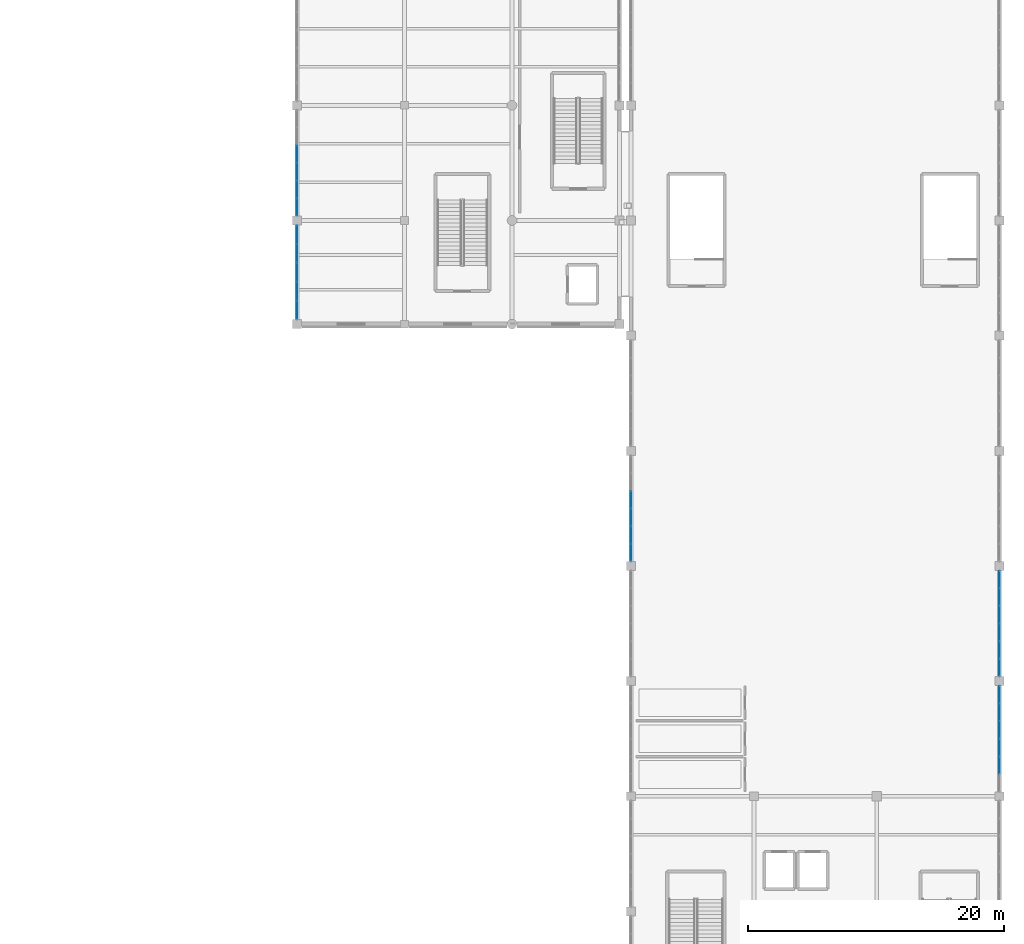
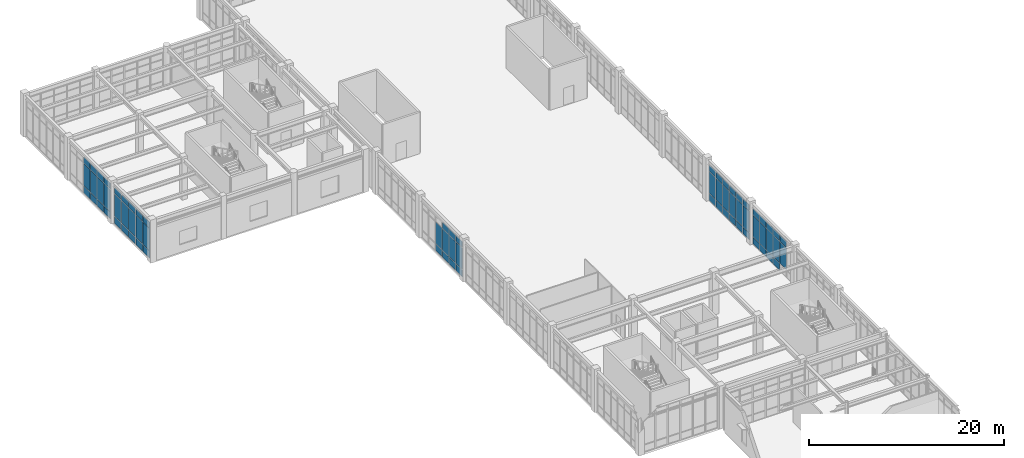
# One storey, part 59 of 80: 70 plates, 5 elements without a shape of their own.
"""IFC4 building model written with IfcOpenShell, lengths in metres."""

from ifc_helpers import new_model, si_unit, direction, frame, origin, origin_2d, place, context, subcontext, project, spatial, rectangle, extrude, material, layer, layer_set, type_object, element, aggregate, save


model = new_model("IFC4")

# Units and contexts
model_context = context("Model", 3, precision=1e-05, world=origin(), true_north=direction((0.0, 1.0)))
body_context = subcontext(model_context, "Body", "Model", "MODEL_VIEW")
ifc_project = project(units=[si_unit("LENGTHUNIT", "METRE"), si_unit("AREAUNIT", "SQUARE_METRE"), si_unit("VOLUMEUNIT", "CUBIC_METRE"), si_unit("PLANEANGLEUNIT", "RADIAN"), si_unit("MASSUNIT", "GRAM", prefix="KILO")], contexts=[model_context])

# Site, building, storey
site_placement = place(None, origin())
site = spatial("IfcSite", under=ifc_project, at=site_placement, CompositionType="ELEMENT")
building_placement = place(site_placement, origin())
building = spatial("IfcBuilding", under=site, at=building_placement, Name="Canglan Escarpment Cableway Terminal", CompositionType="ELEMENT")
storey_placement = place(building_placement, frame((0.0, 0.0, 19.199951171875)))
storey = spatial("IfcBuildingStorey", under=building, at=storey_placement, Name="L04", CompositionType="ELEMENT", Elevation=19.199951171875)

# Curtain wall, plates
ifc_material_1 = material(Name="Anodized bronze aluminium and Low-E double glazing", Category="aluminium")
curtain_wall_type_1 = type_object("IfcCurtainWallType", Name="CW-BAY-7400x4625", PredefinedType="NOTDEFINED", material=ifc_material_1)
curtain_wall_1_placement = place(storey_placement, origin())
curtain_wall_1 = element("IfcCurtainWall", 1, at=curtain_wall_1_placement, inside=storey, type_object=curtain_wall_type_1, Name="Classical bay-between-piers glazed curtain wall CW-55", PredefinedType="NOTDEFINED")
ifc_material_2 = material(Name="Double-silver Low-E laminated insulating glass", Category="glass")
ifc_layer_1 = layer(ifc_material_2, 0.02392578125, Name="Double-silver Low-E laminated insulating glass")
ifc_layer_set_1 = layer_set([ifc_layer_1], Name="Double-silver Low-E laminated insulating glass")
plate_type_1 = type_object("IfcPlateType", Name="CWP-01", PredefinedType="CURTAIN_PANEL", material=ifc_layer_set_1)
plate_1_placement = place(storey_placement, frame((111.5, 95.89501953125, 0.05517578125), z_axis=(0.0, 0.0, 1.0), x_axis=(0.0, -1.0, 0.0)))
plate_1 = element("IfcPlate", 2, at=plate_1_placement, type_object=plate_type_1, Name="CW-55 panel 1.1", PredefinedType="CURTAIN_PANEL", context=body_context, shape_type="SweptSolid", body=[
    extrude(rectangle(XDim=1.389892578125, YDim=0.02392578125, at=origin_2d()), origin(), (0.0, 0.0, 1.0), 0.867431640625),
])
plate_2_placement = place(storey_placement, frame((111.5, 95.89501953125, 0.9775390625), z_axis=(0.0, 0.0, 1.0), x_axis=(0.0, -1.0, 0.0)))
plate_2 = element("IfcPlate", 3, at=plate_2_placement, type_object=plate_type_1, Name="CW-55 panel 1.2", PredefinedType="CURTAIN_PANEL", context=body_context, shape_type="SweptSolid", body=[
    extrude(rectangle(XDim=1.389892578125, YDim=0.02392578125, at=origin_2d()), origin(), (0.0, 0.0, 1.0), 2.77197265625),
])
plate_3_placement = place(storey_placement, frame((111.5, 95.89501953125, 3.804443359375), z_axis=(0.0, 0.0, 1.0), x_axis=(0.0, -1.0, 0.0)))
plate_3 = element("IfcPlate", 4, at=plate_3_placement, type_object=plate_type_1, Name="CW-55 panel 1.3", PredefinedType="CURTAIN_PANEL", context=body_context, shape_type="SweptSolid", body=[
    extrude(rectangle(XDim=1.389892578125, YDim=0.02392578125, at=origin_2d()), origin(), (0.0, 0.0, 1.0), 0.767578125),
])
plate_4_placement = place(storey_placement, frame((111.5, 94.429931640625, 0.05517578125), z_axis=(0.0, 0.0, 1.0), x_axis=(0.0, -1.0, 0.0)))
plate_4 = element("IfcPlate", 5, at=plate_4_placement, type_object=plate_type_1, Name="CW-55 panel 2.1", PredefinedType="CURTAIN_PANEL", context=body_context, shape_type="SweptSolid", body=[
    extrude(rectangle(XDim=1.419921875, YDim=0.02392578125, at=origin_2d()), origin(), (0.0, 0.0, 1.0), 0.867431640625),
])
plate_5_placement = place(storey_placement, frame((111.5, 94.429931640625, 0.9775390625), z_axis=(0.0, 0.0, 1.0), x_axis=(0.0, -1.0, 0.0)))
plate_5 = element("IfcPlate", 6, at=plate_5_placement, type_object=plate_type_1, Name="CW-55 panel 2.2", PredefinedType="CURTAIN_PANEL", context=body_context, shape_type="SweptSolid", body=[
    extrude(rectangle(XDim=1.419921875, YDim=0.02392578125, at=origin_2d()), origin(), (0.0, 0.0, 1.0), 2.77197265625),
])
plate_6_placement = place(storey_placement, frame((111.5, 94.429931640625, 3.804443359375), z_axis=(0.0, 0.0, 1.0), x_axis=(0.0, -1.0, 0.0)))
plate_6 = element("IfcPlate", 7, at=plate_6_placement, type_object=plate_type_1, Name="CW-55 panel 2.3", PredefinedType="CURTAIN_PANEL", context=body_context, shape_type="SweptSolid", body=[
    extrude(rectangle(XDim=1.419921875, YDim=0.02392578125, at=origin_2d()), origin(), (0.0, 0.0, 1.0), 0.767578125),
])
plate_7_placement = place(storey_placement, frame((111.5, 92.949951171875, 0.05517578125), z_axis=(0.0, 0.0, 1.0), x_axis=(0.0, -1.0, 0.0)))
plate_7 = element("IfcPlate", 8, at=plate_7_placement, type_object=plate_type_1, Name="CW-55 panel 3.1", PredefinedType="CURTAIN_PANEL", context=body_context, shape_type="SweptSolid", body=[
    extrude(rectangle(XDim=1.419921875, YDim=0.02392578125, at=origin_2d()), origin(), (0.0, 0.0, 1.0), 0.867431640625),
])
plate_8_placement = place(storey_placement, frame((111.5, 92.949951171875, 0.9775390625), z_axis=(0.0, 0.0, 1.0), x_axis=(0.0, -1.0, 0.0)))
plate_8 = element("IfcPlate", 9, at=plate_8_placement, type_object=plate_type_1, Name="CW-55 panel 3.2", PredefinedType="CURTAIN_PANEL", context=body_context, shape_type="SweptSolid", body=[
    extrude(rectangle(XDim=1.419921875, YDim=0.02392578125, at=origin_2d()), origin(), (0.0, 0.0, 1.0), 2.77197265625),
])
plate_9_placement = place(storey_placement, frame((111.5, 92.949951171875, 3.804443359375), z_axis=(0.0, 0.0, 1.0), x_axis=(0.0, -1.0, 0.0)))
plate_9 = element("IfcPlate", 10, at=plate_9_placement, type_object=plate_type_1, Name="CW-55 panel 3.3", PredefinedType="CURTAIN_PANEL", context=body_context, shape_type="SweptSolid", body=[
    extrude(rectangle(XDim=1.419921875, YDim=0.02392578125, at=origin_2d()), origin(), (0.0, 0.0, 1.0), 0.767578125),
])
plate_10_placement = place(storey_placement, frame((111.5, 91.469970703125, 0.05517578125), z_axis=(0.0, 0.0, 1.0), x_axis=(0.0, -1.0, 0.0)))
plate_10 = element("IfcPlate", 11, at=plate_10_placement, type_object=plate_type_1, Name="CW-55 panel 4.1", PredefinedType="CURTAIN_PANEL", context=body_context, shape_type="SweptSolid", body=[
    extrude(rectangle(XDim=1.419921875, YDim=0.02392578125, at=origin_2d()), origin(), (0.0, 0.0, 1.0), 0.867431640625),
])
plate_11_placement = place(storey_placement, frame((111.5, 91.469970703125, 0.9775390625), z_axis=(0.0, 0.0, 1.0), x_axis=(0.0, -1.0, 0.0)))
plate_11 = element("IfcPlate", 12, at=plate_11_placement, type_object=plate_type_1, Name="CW-55 panel 4.2", PredefinedType="CURTAIN_PANEL", context=body_context, shape_type="SweptSolid", body=[
    extrude(rectangle(XDim=1.419921875, YDim=0.02392578125, at=origin_2d()), origin(), (0.0, 0.0, 1.0), 2.77197265625),
])
plate_12_placement = place(storey_placement, frame((111.5, 91.469970703125, 3.804443359375), z_axis=(0.0, 0.0, 1.0), x_axis=(0.0, -1.0, 0.0)))
plate_12 = element("IfcPlate", 13, at=plate_12_placement, type_object=plate_type_1, Name="CW-55 panel 4.3", PredefinedType="CURTAIN_PANEL", context=body_context, shape_type="SweptSolid", body=[
    extrude(rectangle(XDim=1.419921875, YDim=0.02392578125, at=origin_2d()), origin(), (0.0, 0.0, 1.0), 0.767578125),
])
plate_13_placement = place(storey_placement, frame((111.5, 90.0048828125, 0.05517578125), z_axis=(0.0, 0.0, 1.0), x_axis=(0.0, -1.0, 0.0)))
plate_13 = element("IfcPlate", 14, at=plate_13_placement, type_object=plate_type_1, Name="CW-55 panel 5.1", PredefinedType="CURTAIN_PANEL", context=body_context, shape_type="SweptSolid", body=[
    extrude(rectangle(XDim=1.389892578125, YDim=0.02392578125, at=origin_2d()), origin(), (0.0, 0.0, 1.0), 0.867431640625),
])
plate_14_placement = place(storey_placement, frame((111.5, 90.0048828125, 0.9775390625), z_axis=(0.0, 0.0, 1.0), x_axis=(0.0, -1.0, 0.0)))
plate_14 = element("IfcPlate", 15, at=plate_14_placement, type_object=plate_type_1, Name="CW-55 panel 5.2", PredefinedType="CURTAIN_PANEL", context=body_context, shape_type="SweptSolid", body=[
    extrude(rectangle(XDim=1.389892578125, YDim=0.02392578125, at=origin_2d()), origin(), (0.0, 0.0, 1.0), 2.77197265625),
])
plate_15_placement = place(storey_placement, frame((111.5, 90.0048828125, 3.804443359375), z_axis=(0.0, 0.0, 1.0), x_axis=(0.0, -1.0, 0.0)))
plate_15 = element("IfcPlate", 16, at=plate_15_placement, type_object=plate_type_1, Name="CW-55 panel 5.3", PredefinedType="CURTAIN_PANEL", context=body_context, shape_type="SweptSolid", body=[
    extrude(rectangle(XDim=1.389892578125, YDim=0.02392578125, at=origin_2d()), origin(), (0.0, 0.0, 1.0), 0.767578125),
])
aggregate(curtain_wall_1, [plate_1, plate_2, plate_3, plate_4, plate_5, plate_6, plate_7, plate_8, plate_9, plate_10, plate_11, plate_12, plate_13, plate_14, plate_15])

curtain_wall_type_2 = type_object("IfcCurtainWallType", Name="CW-BAY-8300x4550", PredefinedType="NOTDEFINED", material=ifc_material_1)
curtain_wall_2_placement = place(storey_placement, origin())
curtain_wall_2 = element("IfcCurtainWall", 17, at=curtain_wall_2_placement, inside=storey, type_object=curtain_wall_type_2, Name="Classical bay-between-piers glazed curtain wall CW-64", PredefinedType="NOTDEFINED")
plate_16_placement = place(storey_placement, frame((166.39990234375, 62.057861328125, 0.06005859375), z_axis=(0.0, 0.0, 1.0), x_axis=(0.0, 1.0, 0.0)))
plate_16 = element("IfcPlate", 18, at=plate_16_placement, type_object=plate_type_1, Name="CW-64 panel 1.1", PredefinedType="CURTAIN_PANEL", context=body_context, shape_type="SweptSolid", body=[
    extrude(rectangle(XDim=1.285888671875, YDim=0.02392578125, at=origin_2d()), origin(), (0.0, 0.0, 1.0), 0.860107421875),
])
plate_17_placement = place(storey_placement, frame((166.39990234375, 62.057861328125, 0.97998046875), z_axis=(0.0, 0.0, 1.0), x_axis=(0.0, 1.0, 0.0)))
plate_17 = element("IfcPlate", 19, at=plate_17_placement, type_object=plate_type_1, Name="CW-64 panel 1.2", PredefinedType="CURTAIN_PANEL", context=body_context, shape_type="SweptSolid", body=[
    extrude(rectangle(XDim=1.285888671875, YDim=0.02392578125, at=origin_2d()), origin(), (0.0, 0.0, 1.0), 2.69091796875),
])
plate_18_placement = place(storey_placement, frame((166.39990234375, 62.057861328125, 3.73095703125), z_axis=(0.0, 0.0, 1.0), x_axis=(0.0, 1.0, 0.0)))
plate_18 = element("IfcPlate", 20, at=plate_18_placement, type_object=plate_type_1, Name="CW-64 panel 1.3", PredefinedType="CURTAIN_PANEL", context=body_context, shape_type="SweptSolid", body=[
    extrude(rectangle(XDim=1.285888671875, YDim=0.02392578125, at=origin_2d()), origin(), (0.0, 0.0, 1.0), 0.760009765625),
])
plate_19_placement = place(storey_placement, frame((166.39990234375, 63.425048828125, 0.06005859375), z_axis=(0.0, 0.0, 1.0), x_axis=(0.0, 1.0, 0.0)))
plate_19 = element("IfcPlate", 21, at=plate_19_placement, type_object=plate_type_1, Name="CW-64 panel 2.1", PredefinedType="CURTAIN_PANEL", context=body_context, shape_type="SweptSolid", body=[
    extrude(rectangle(XDim=1.318359375, YDim=0.02392578125, at=origin_2d()), origin(), (0.0, 0.0, 1.0), 0.860107421875),
])
plate_20_placement = place(storey_placement, frame((166.39990234375, 63.425048828125, 0.97998046875), z_axis=(0.0, 0.0, 1.0), x_axis=(0.0, 1.0, 0.0)))
plate_20 = element("IfcPlate", 22, at=plate_20_placement, type_object=plate_type_1, Name="CW-64 panel 2.2", PredefinedType="CURTAIN_PANEL", context=body_context, shape_type="SweptSolid", body=[
    extrude(rectangle(XDim=1.318359375, YDim=0.02392578125, at=origin_2d()), origin(), (0.0, 0.0, 1.0), 2.69091796875),
])
plate_21_placement = place(storey_placement, frame((166.39990234375, 63.425048828125, 3.73095703125), z_axis=(0.0, 0.0, 1.0), x_axis=(0.0, 1.0, 0.0)))
plate_21 = element("IfcPlate", 23, at=plate_21_placement, type_object=plate_type_1, Name="CW-64 panel 2.3", PredefinedType="CURTAIN_PANEL", context=body_context, shape_type="SweptSolid", body=[
    extrude(rectangle(XDim=1.318359375, YDim=0.02392578125, at=origin_2d()), origin(), (0.0, 0.0, 1.0), 0.760009765625),
])
plate_22_placement = place(storey_placement, frame((166.39990234375, 64.808349609375, 0.06005859375), z_axis=(0.0, 0.0, 1.0), x_axis=(0.0, 1.0, 0.0)))
plate_22 = element("IfcPlate", 24, at=plate_22_placement, type_object=plate_type_1, Name="CW-64 panel 3.1", PredefinedType="CURTAIN_PANEL", context=body_context, shape_type="SweptSolid", body=[
    extrude(rectangle(XDim=1.318359375, YDim=0.02392578125, at=origin_2d()), origin(), (0.0, 0.0, 1.0), 0.860107421875),
])
plate_23_placement = place(storey_placement, frame((166.39990234375, 64.808349609375, 0.97998046875), z_axis=(0.0, 0.0, 1.0), x_axis=(0.0, 1.0, 0.0)))
plate_23 = element("IfcPlate", 25, at=plate_23_placement, type_object=plate_type_1, Name="CW-64 panel 3.2", PredefinedType="CURTAIN_PANEL", context=body_context, shape_type="SweptSolid", body=[
    extrude(rectangle(XDim=1.318359375, YDim=0.02392578125, at=origin_2d()), origin(), (0.0, 0.0, 1.0), 2.69091796875),
])
plate_24_placement = place(storey_placement, frame((166.39990234375, 64.808349609375, 3.73095703125), z_axis=(0.0, 0.0, 1.0), x_axis=(0.0, 1.0, 0.0)))
plate_24 = element("IfcPlate", 26, at=plate_24_placement, type_object=plate_type_1, Name="CW-64 panel 3.3", PredefinedType="CURTAIN_PANEL", context=body_context, shape_type="SweptSolid", body=[
    extrude(rectangle(XDim=1.318359375, YDim=0.02392578125, at=origin_2d()), origin(), (0.0, 0.0, 1.0), 0.760009765625),
])
plate_25_placement = place(storey_placement, frame((166.39990234375, 66.191650390625, 0.06005859375), z_axis=(0.0, 0.0, 1.0), x_axis=(0.0, 1.0, 0.0)))
plate_25 = element("IfcPlate", 27, at=plate_25_placement, type_object=plate_type_1, Name="CW-64 panel 4.1", PredefinedType="CURTAIN_PANEL", context=body_context, shape_type="SweptSolid", body=[
    extrude(rectangle(XDim=1.318359375, YDim=0.02392578125, at=origin_2d()), origin(), (0.0, 0.0, 1.0), 0.860107421875),
])
plate_26_placement = place(storey_placement, frame((166.39990234375, 66.191650390625, 0.97998046875), z_axis=(0.0, 0.0, 1.0), x_axis=(0.0, 1.0, 0.0)))
plate_26 = element("IfcPlate", 28, at=plate_26_placement, type_object=plate_type_1, Name="CW-64 panel 4.2", PredefinedType="CURTAIN_PANEL", context=body_context, shape_type="SweptSolid", body=[
    extrude(rectangle(XDim=1.318359375, YDim=0.02392578125, at=origin_2d()), origin(), (0.0, 0.0, 1.0), 2.69091796875),
])
plate_27_placement = place(storey_placement, frame((166.39990234375, 66.191650390625, 3.73095703125), z_axis=(0.0, 0.0, 1.0), x_axis=(0.0, 1.0, 0.0)))
plate_27 = element("IfcPlate", 29, at=plate_27_placement, type_object=plate_type_1, Name="CW-64 panel 4.3", PredefinedType="CURTAIN_PANEL", context=body_context, shape_type="SweptSolid", body=[
    extrude(rectangle(XDim=1.318359375, YDim=0.02392578125, at=origin_2d()), origin(), (0.0, 0.0, 1.0), 0.760009765625),
])
plate_28_placement = place(storey_placement, frame((166.39990234375, 67.574951171875, 0.06005859375), z_axis=(0.0, 0.0, 1.0), x_axis=(0.0, 1.0, 0.0)))
plate_28 = element("IfcPlate", 30, at=plate_28_placement, type_object=plate_type_1, Name="CW-64 panel 5.1", PredefinedType="CURTAIN_PANEL", context=body_context, shape_type="SweptSolid", body=[
    extrude(rectangle(XDim=1.318359375, YDim=0.02392578125, at=origin_2d()), origin(), (0.0, 0.0, 1.0), 0.860107421875),
])
plate_29_placement = place(storey_placement, frame((166.39990234375, 67.574951171875, 0.97998046875), z_axis=(0.0, 0.0, 1.0), x_axis=(0.0, 1.0, 0.0)))
plate_29 = element("IfcPlate", 31, at=plate_29_placement, type_object=plate_type_1, Name="CW-64 panel 5.2", PredefinedType="CURTAIN_PANEL", context=body_context, shape_type="SweptSolid", body=[
    extrude(rectangle(XDim=1.318359375, YDim=0.02392578125, at=origin_2d()), origin(), (0.0, 0.0, 1.0), 2.69091796875),
])
plate_30_placement = place(storey_placement, frame((166.39990234375, 67.574951171875, 3.73095703125), z_axis=(0.0, 0.0, 1.0), x_axis=(0.0, 1.0, 0.0)))
plate_30 = element("IfcPlate", 32, at=plate_30_placement, type_object=plate_type_1, Name="CW-64 panel 5.3", PredefinedType="CURTAIN_PANEL", context=body_context, shape_type="SweptSolid", body=[
    extrude(rectangle(XDim=1.318359375, YDim=0.02392578125, at=origin_2d()), origin(), (0.0, 0.0, 1.0), 0.760009765625),
])
plate_31_placement = place(storey_placement, frame((166.39990234375, 68.942138671875, 0.06005859375), z_axis=(0.0, 0.0, 1.0), x_axis=(0.0, 1.0, 0.0)))
plate_31 = element("IfcPlate", 33, at=plate_31_placement, type_object=plate_type_1, Name="CW-64 panel 6.1", PredefinedType="CURTAIN_PANEL", context=body_context, shape_type="SweptSolid", body=[
    extrude(rectangle(XDim=1.285888671875, YDim=0.02392578125, at=origin_2d()), origin(), (0.0, 0.0, 1.0), 0.860107421875),
])
plate_32_placement = place(storey_placement, frame((166.39990234375, 68.942138671875, 0.97998046875), z_axis=(0.0, 0.0, 1.0), x_axis=(0.0, 1.0, 0.0)))
plate_32 = element("IfcPlate", 34, at=plate_32_placement, type_object=plate_type_1, Name="CW-64 panel 6.2", PredefinedType="CURTAIN_PANEL", context=body_context, shape_type="SweptSolid", body=[
    extrude(rectangle(XDim=1.285888671875, YDim=0.02392578125, at=origin_2d()), origin(), (0.0, 0.0, 1.0), 2.69091796875),
])
plate_33_placement = place(storey_placement, frame((166.39990234375, 68.942138671875, 3.73095703125), z_axis=(0.0, 0.0, 1.0), x_axis=(0.0, 1.0, 0.0)))
plate_33 = element("IfcPlate", 35, at=plate_33_placement, type_object=plate_type_1, Name="CW-64 panel 6.3", PredefinedType="CURTAIN_PANEL", context=body_context, shape_type="SweptSolid", body=[
    extrude(rectangle(XDim=1.285888671875, YDim=0.02392578125, at=origin_2d()), origin(), (0.0, 0.0, 1.0), 0.760009765625),
])
aggregate(curtain_wall_2, [plate_16, plate_17, plate_18, plate_19, plate_20, plate_21, plate_22, plate_23, plate_24, plate_25, plate_26, plate_27, plate_28, plate_29, plate_30, plate_31, plate_32, plate_33])

curtain_wall_type_3 = type_object("IfcCurtainWallType", Name="CW-BAY-8300x4625", PredefinedType="NOTDEFINED", material=ifc_material_1)
curtain_wall_3_placement = place(storey_placement, origin())
curtain_wall_3 = element("IfcCurtainWall", 36, at=curtain_wall_3_placement, inside=storey, type_object=curtain_wall_type_3, Name="Classical bay-between-piers glazed curtain wall CW-56", PredefinedType="NOTDEFINED")
ifc_layer_2 = layer(ifc_material_2, 0.028076171875, Name="Double-silver Low-E laminated insulating glass")
ifc_layer_set_2 = layer_set([ifc_layer_2], Name="Double-silver Low-E laminated insulating glass")
plate_type_2 = type_object("IfcPlateType", Name="CWP-02", PredefinedType="CURTAIN_PANEL", material=ifc_layer_set_2)
plate_34_placement = place(storey_placement, frame((111.5, 102.191650390625, 0.06005859375), z_axis=(0.0, 0.0, 1.0), x_axis=(0.0, -1.0, 0.0)))
plate_34 = element("IfcPlate", 37, at=plate_34_placement, type_object=plate_type_2, Name="CW-56 panel 3.1", PredefinedType="CURTAIN_PANEL", context=body_context, shape_type="SweptSolid", body=[
    extrude(rectangle(XDim=1.318359375, YDim=0.028076171875, at=origin_2d()), origin(), (0.0, 0.0, 1.0), 0.860107421875),
])
plate_35_placement = place(storey_placement, frame((111.5, 102.191650390625, 0.97998046875), z_axis=(0.0, 0.0, 1.0), x_axis=(0.0, -1.0, 0.0)))
plate_35 = element("IfcPlate", 38, at=plate_35_placement, type_object=plate_type_2, Name="CW-56 panel 3.2", PredefinedType="CURTAIN_PANEL", context=body_context, shape_type="SweptSolid", body=[
    extrude(rectangle(XDim=1.318359375, YDim=0.028076171875, at=origin_2d()), origin(), (0.0, 0.0, 1.0), 2.76708984375),
])
plate_36_placement = place(storey_placement, frame((111.5, 102.191650390625, 3.80712890625), z_axis=(0.0, 0.0, 1.0), x_axis=(0.0, -1.0, 0.0)))
plate_36 = element("IfcPlate", 39, at=plate_36_placement, type_object=plate_type_2, Name="CW-56 panel 3.3", PredefinedType="CURTAIN_PANEL", context=body_context, shape_type="SweptSolid", body=[
    extrude(rectangle(XDim=1.318359375, YDim=0.028076171875, at=origin_2d()), origin(), (0.0, 0.0, 1.0), 0.760009765625),
])
plate_37_placement = place(storey_placement, frame((111.5, 100.808349609375, 0.06005859375), z_axis=(0.0, 0.0, 1.0), x_axis=(0.0, -1.0, 0.0)))
plate_37 = element("IfcPlate", 40, at=plate_37_placement, type_object=plate_type_2, Name="CW-56 panel 4.1", PredefinedType="CURTAIN_PANEL", context=body_context, shape_type="SweptSolid", body=[
    extrude(rectangle(XDim=1.318359375, YDim=0.028076171875, at=origin_2d()), origin(), (0.0, 0.0, 1.0), 0.860107421875),
])
plate_38_placement = place(storey_placement, frame((111.5, 100.808349609375, 0.97998046875), z_axis=(0.0, 0.0, 1.0), x_axis=(0.0, -1.0, 0.0)))
plate_38 = element("IfcPlate", 41, at=plate_38_placement, type_object=plate_type_2, Name="CW-56 panel 4.2", PredefinedType="CURTAIN_PANEL", context=body_context, shape_type="SweptSolid", body=[
    extrude(rectangle(XDim=1.318359375, YDim=0.028076171875, at=origin_2d()), origin(), (0.0, 0.0, 1.0), 2.76708984375),
])
plate_39_placement = place(storey_placement, frame((111.5, 100.808349609375, 3.80712890625), z_axis=(0.0, 0.0, 1.0), x_axis=(0.0, -1.0, 0.0)))
plate_39 = element("IfcPlate", 42, at=plate_39_placement, type_object=plate_type_2, Name="CW-56 panel 4.3", PredefinedType="CURTAIN_PANEL", context=body_context, shape_type="SweptSolid", body=[
    extrude(rectangle(XDim=1.318359375, YDim=0.028076171875, at=origin_2d()), origin(), (0.0, 0.0, 1.0), 0.760009765625),
])
plate_40_placement = place(storey_placement, frame((111.5, 99.425048828125, 0.06005859375), z_axis=(0.0, 0.0, 1.0), x_axis=(0.0, -1.0, 0.0)))
plate_40 = element("IfcPlate", 43, at=plate_40_placement, type_object=plate_type_2, Name="CW-56 panel 5.1", PredefinedType="CURTAIN_PANEL", context=body_context, shape_type="SweptSolid", body=[
    extrude(rectangle(XDim=1.318359375, YDim=0.028076171875, at=origin_2d()), origin(), (0.0, 0.0, 1.0), 0.860107421875),
])
plate_41_placement = place(storey_placement, frame((111.5, 99.425048828125, 0.97998046875), z_axis=(0.0, 0.0, 1.0), x_axis=(0.0, -1.0, 0.0)))
plate_41 = element("IfcPlate", 44, at=plate_41_placement, type_object=plate_type_2, Name="CW-56 panel 5.2", PredefinedType="CURTAIN_PANEL", context=body_context, shape_type="SweptSolid", body=[
    extrude(rectangle(XDim=1.318359375, YDim=0.028076171875, at=origin_2d()), origin(), (0.0, 0.0, 1.0), 2.76708984375),
])
plate_42_placement = place(storey_placement, frame((111.5, 99.425048828125, 3.80712890625), z_axis=(0.0, 0.0, 1.0), x_axis=(0.0, -1.0, 0.0)))
plate_42 = element("IfcPlate", 45, at=plate_42_placement, type_object=plate_type_2, Name="CW-56 panel 5.3", PredefinedType="CURTAIN_PANEL", context=body_context, shape_type="SweptSolid", body=[
    extrude(rectangle(XDim=1.318359375, YDim=0.028076171875, at=origin_2d()), origin(), (0.0, 0.0, 1.0), 0.760009765625),
])
plate_43_placement = place(storey_placement, frame((111.5, 98.057861328125, 0.06005859375), z_axis=(0.0, 0.0, 1.0), x_axis=(0.0, -1.0, 0.0)))
plate_43 = element("IfcPlate", 46, at=plate_43_placement, type_object=plate_type_2, Name="CW-56 panel 6.1", PredefinedType="CURTAIN_PANEL", context=body_context, shape_type="SweptSolid", body=[
    extrude(rectangle(XDim=1.285888671875, YDim=0.028076171875, at=origin_2d()), origin(), (0.0, 0.0, 1.0), 0.860107421875),
])
plate_44_placement = place(storey_placement, frame((111.5, 98.057861328125, 0.97998046875), z_axis=(0.0, 0.0, 1.0), x_axis=(0.0, -1.0, 0.0)))
plate_44 = element("IfcPlate", 47, at=plate_44_placement, type_object=plate_type_2, Name="CW-56 panel 6.2", PredefinedType="CURTAIN_PANEL", context=body_context, shape_type="SweptSolid", body=[
    extrude(rectangle(XDim=1.285888671875, YDim=0.028076171875, at=origin_2d()), origin(), (0.0, 0.0, 1.0), 2.76708984375),
])
plate_45_placement = place(storey_placement, frame((111.5, 98.057861328125, 3.80712890625), z_axis=(0.0, 0.0, 1.0), x_axis=(0.0, -1.0, 0.0)))
plate_45 = element("IfcPlate", 48, at=plate_45_placement, type_object=plate_type_2, Name="CW-56 panel 6.3", PredefinedType="CURTAIN_PANEL", context=body_context, shape_type="SweptSolid", body=[
    extrude(rectangle(XDim=1.285888671875, YDim=0.028076171875, at=origin_2d()), origin(), (0.0, 0.0, 1.0), 0.760009765625),
])
aggregate(curtain_wall_3, [plate_34, plate_35, plate_36, plate_37, plate_38, plate_39, plate_40, plate_41, plate_42, plate_43, plate_44, plate_45])

curtain_wall_4_placement = place(storey_placement, origin())
curtain_wall_4 = element("IfcCurtainWall", 49, at=curtain_wall_4_placement, inside=storey, type_object=curtain_wall_type_2, Name="Classical bay-between-piers glazed curtain wall CW-64", PredefinedType="NOTDEFINED")
plate_46_placement = place(storey_placement, frame((137.60009765625, 75.191650390625, 0.06494140625), z_axis=(0.0, 0.0, 1.0), x_axis=(0.0, -1.0, 0.0)))
plate_46 = element("IfcPlate", 50, at=plate_46_placement, type_object=plate_type_2, Name="CW-64 panel 3.1", PredefinedType="CURTAIN_PANEL", context=body_context, shape_type="SweptSolid", body=[
    extrude(rectangle(XDim=1.318359375, YDim=0.028076171875, at=origin_2d()), origin(), (0.0, 0.0, 1.0), 0.8525390625),
])
plate_47_placement = place(storey_placement, frame((137.60009765625, 75.191650390625, 0.982421875), z_axis=(0.0, 0.0, 1.0), x_axis=(0.0, -1.0, 0.0)))
plate_47 = element("IfcPlate", 51, at=plate_47_placement, type_object=plate_type_2, Name="CW-64 panel 3.2", PredefinedType="CURTAIN_PANEL", context=body_context, shape_type="SweptSolid", body=[
    extrude(rectangle(XDim=1.318359375, YDim=0.028076171875, at=origin_2d()), origin(), (0.0, 0.0, 1.0), 2.68603515625),
])
plate_48_placement = place(storey_placement, frame((137.60009765625, 73.808349609375, 0.06494140625), z_axis=(0.0, 0.0, 1.0), x_axis=(0.0, -1.0, 0.0)))
plate_48 = element("IfcPlate", 52, at=plate_48_placement, type_object=plate_type_2, Name="CW-64 panel 4.1", PredefinedType="CURTAIN_PANEL", context=body_context, shape_type="SweptSolid", body=[
    extrude(rectangle(XDim=1.318359375, YDim=0.028076171875, at=origin_2d()), origin(), (0.0, 0.0, 1.0), 0.8525390625),
])
plate_49_placement = place(storey_placement, frame((137.60009765625, 73.808349609375, 0.982421875), z_axis=(0.0, 0.0, 1.0), x_axis=(0.0, -1.0, 0.0)))
plate_49 = element("IfcPlate", 53, at=plate_49_placement, type_object=plate_type_2, Name="CW-64 panel 4.2", PredefinedType="CURTAIN_PANEL", context=body_context, shape_type="SweptSolid", body=[
    extrude(rectangle(XDim=1.318359375, YDim=0.028076171875, at=origin_2d()), origin(), (0.0, 0.0, 1.0), 2.68603515625),
])
plate_50_placement = place(storey_placement, frame((137.60009765625, 73.808349609375, 3.733642578125), z_axis=(0.0, 0.0, 1.0), x_axis=(0.0, -1.0, 0.0)))
plate_50 = element("IfcPlate", 54, at=plate_50_placement, type_object=plate_type_2, Name="CW-64 panel 4.3", PredefinedType="CURTAIN_PANEL", context=body_context, shape_type="SweptSolid", body=[
    extrude(rectangle(XDim=1.318359375, YDim=0.028076171875, at=origin_2d()), origin(), (0.0, 0.0, 1.0), 0.75244140625),
])
plate_51_placement = place(storey_placement, frame((137.60009765625, 72.425048828125, 0.06494140625), z_axis=(0.0, 0.0, 1.0), x_axis=(0.0, -1.0, 0.0)))
plate_51 = element("IfcPlate", 55, at=plate_51_placement, type_object=plate_type_2, Name="CW-64 panel 5.1", PredefinedType="CURTAIN_PANEL", context=body_context, shape_type="SweptSolid", body=[
    extrude(rectangle(XDim=1.318359375, YDim=0.028076171875, at=origin_2d()), origin(), (0.0, 0.0, 1.0), 0.8525390625),
])
plate_52_placement = place(storey_placement, frame((137.60009765625, 72.425048828125, 0.982421875), z_axis=(0.0, 0.0, 1.0), x_axis=(0.0, -1.0, 0.0)))
plate_52 = element("IfcPlate", 56, at=plate_52_placement, type_object=plate_type_2, Name="CW-64 panel 5.2", PredefinedType="CURTAIN_PANEL", context=body_context, shape_type="SweptSolid", body=[
    extrude(rectangle(XDim=1.318359375, YDim=0.028076171875, at=origin_2d()), origin(), (0.0, 0.0, 1.0), 2.68603515625),
])
plate_53_placement = place(storey_placement, frame((137.60009765625, 72.425048828125, 3.733642578125), z_axis=(0.0, 0.0, 1.0), x_axis=(0.0, -1.0, 0.0)))
plate_53 = element("IfcPlate", 57, at=plate_53_placement, type_object=plate_type_2, Name="CW-64 panel 5.3", PredefinedType="CURTAIN_PANEL", context=body_context, shape_type="SweptSolid", body=[
    extrude(rectangle(XDim=1.318359375, YDim=0.028076171875, at=origin_2d()), origin(), (0.0, 0.0, 1.0), 0.75244140625),
])
plate_54_placement = place(storey_placement, frame((137.60009765625, 71.057861328125, 0.06494140625), z_axis=(0.0, 0.0, 1.0), x_axis=(0.0, -1.0, 0.0)))
plate_54 = element("IfcPlate", 58, at=plate_54_placement, type_object=plate_type_2, Name="CW-64 panel 6.1", PredefinedType="CURTAIN_PANEL", context=body_context, shape_type="SweptSolid", body=[
    extrude(rectangle(XDim=1.285888671875, YDim=0.028076171875, at=origin_2d()), origin(), (0.0, 0.0, 1.0), 0.8525390625),
])
plate_55_placement = place(storey_placement, frame((137.60009765625, 71.057861328125, 0.982421875), z_axis=(0.0, 0.0, 1.0), x_axis=(0.0, -1.0, 0.0)))
plate_55 = element("IfcPlate", 59, at=plate_55_placement, type_object=plate_type_2, Name="CW-64 panel 6.2", PredefinedType="CURTAIN_PANEL", context=body_context, shape_type="SweptSolid", body=[
    extrude(rectangle(XDim=1.285888671875, YDim=0.028076171875, at=origin_2d()), origin(), (0.0, 0.0, 1.0), 2.68603515625),
])
plate_56_placement = place(storey_placement, frame((137.60009765625, 71.057861328125, 3.733642578125), z_axis=(0.0, 0.0, 1.0), x_axis=(0.0, -1.0, 0.0)))
plate_56 = element("IfcPlate", 60, at=plate_56_placement, type_object=plate_type_2, Name="CW-64 panel 6.3", PredefinedType="CURTAIN_PANEL", context=body_context, shape_type="SweptSolid", body=[
    extrude(rectangle(XDim=1.285888671875, YDim=0.028076171875, at=origin_2d()), origin(), (0.0, 0.0, 1.0), 0.75244140625),
])
aggregate(curtain_wall_4, [plate_46, plate_47, plate_48, plate_49, plate_50, plate_51, plate_52, plate_53, plate_54, plate_55, plate_56])

curtain_wall_5_placement = place(storey_placement, origin())
curtain_wall_5 = element("IfcCurtainWall", 61, at=curtain_wall_5_placement, inside=storey, type_object=curtain_wall_type_2, Name="Classical bay-between-piers glazed curtain wall CW-64", PredefinedType="NOTDEFINED")
ifc_layer_3 = layer(ifc_material_2, 0.035888671875, Name="Double-silver Low-E laminated insulating glass")
ifc_layer_set_3 = layer_set([ifc_layer_3], Name="Double-silver Low-E laminated insulating glass")
plate_type_3 = type_object("IfcPlateType", Name="CWP-04", PredefinedType="CURTAIN_PANEL", material=ifc_layer_set_3)
plate_57_placement = place(storey_placement, frame((166.39990234375, 54.425048828125, 0.9775390625), z_axis=(0.0, 0.0, 1.0), x_axis=(0.0, 1.0, 0.0)))
plate_57 = element("IfcPlate", 62, at=plate_57_placement, type_object=plate_type_3, Name="CW-64 panel 2.2", PredefinedType="CURTAIN_PANEL", context=body_context, shape_type="SweptSolid", body=[
    extrude(rectangle(XDim=1.3232421875, YDim=0.035888671875, at=origin_2d()), origin(), (0.0, 0.0, 1.0), 2.696044921875),
])
plate_58_placement = place(storey_placement, frame((166.39990234375, 54.425048828125, 3.728515625), z_axis=(0.0, 0.0, 1.0), x_axis=(0.0, 1.0, 0.0)))
plate_58 = element("IfcPlate", 63, at=plate_58_placement, type_object=plate_type_3, Name="CW-64 panel 2.3", PredefinedType="CURTAIN_PANEL", context=body_context, shape_type="SweptSolid", body=[
    extrude(rectangle(XDim=1.3232421875, YDim=0.035888671875, at=origin_2d()), origin(), (0.0, 0.0, 1.0), 0.767578125),
])
plate_59_placement = place(storey_placement, frame((166.39990234375, 55.808349609375, 0.05517578125), z_axis=(0.0, 0.0, 1.0), x_axis=(0.0, 1.0, 0.0)))
plate_59 = element("IfcPlate", 64, at=plate_59_placement, type_object=plate_type_3, Name="CW-64 panel 3.1", PredefinedType="CURTAIN_PANEL", context=body_context, shape_type="SweptSolid", body=[
    extrude(rectangle(XDim=1.3232421875, YDim=0.035888671875, at=origin_2d()), origin(), (0.0, 0.0, 1.0), 0.867431640625),
])
plate_60_placement = place(storey_placement, frame((166.39990234375, 55.808349609375, 0.9775390625), z_axis=(0.0, 0.0, 1.0), x_axis=(0.0, 1.0, 0.0)))
plate_60 = element("IfcPlate", 65, at=plate_60_placement, type_object=plate_type_3, Name="CW-64 panel 3.2", PredefinedType="CURTAIN_PANEL", context=body_context, shape_type="SweptSolid", body=[
    extrude(rectangle(XDim=1.3232421875, YDim=0.035888671875, at=origin_2d()), origin(), (0.0, 0.0, 1.0), 2.696044921875),
])
plate_61_placement = place(storey_placement, frame((166.39990234375, 55.808349609375, 3.728515625), z_axis=(0.0, 0.0, 1.0), x_axis=(0.0, 1.0, 0.0)))
plate_61 = element("IfcPlate", 66, at=plate_61_placement, type_object=plate_type_3, Name="CW-64 panel 3.3", PredefinedType="CURTAIN_PANEL", context=body_context, shape_type="SweptSolid", body=[
    extrude(rectangle(XDim=1.3232421875, YDim=0.035888671875, at=origin_2d()), origin(), (0.0, 0.0, 1.0), 0.767578125),
])
plate_62_placement = place(storey_placement, frame((166.39990234375, 57.191650390625, 0.05517578125), z_axis=(0.0, 0.0, 1.0), x_axis=(0.0, 1.0, 0.0)))
plate_62 = element("IfcPlate", 67, at=plate_62_placement, type_object=plate_type_3, Name="CW-64 panel 4.1", PredefinedType="CURTAIN_PANEL", context=body_context, shape_type="SweptSolid", body=[
    extrude(rectangle(XDim=1.3232421875, YDim=0.035888671875, at=origin_2d()), origin(), (0.0, 0.0, 1.0), 0.867431640625),
])
plate_63_placement = place(storey_placement, frame((166.39990234375, 57.191650390625, 0.9775390625), z_axis=(0.0, 0.0, 1.0), x_axis=(0.0, 1.0, 0.0)))
plate_63 = element("IfcPlate", 68, at=plate_63_placement, type_object=plate_type_3, Name="CW-64 panel 4.2", PredefinedType="CURTAIN_PANEL", context=body_context, shape_type="SweptSolid", body=[
    extrude(rectangle(XDim=1.3232421875, YDim=0.035888671875, at=origin_2d()), origin(), (0.0, 0.0, 1.0), 2.696044921875),
])
plate_64_placement = place(storey_placement, frame((166.39990234375, 57.191650390625, 3.728515625), z_axis=(0.0, 0.0, 1.0), x_axis=(0.0, 1.0, 0.0)))
plate_64 = element("IfcPlate", 69, at=plate_64_placement, type_object=plate_type_3, Name="CW-64 panel 4.3", PredefinedType="CURTAIN_PANEL", context=body_context, shape_type="SweptSolid", body=[
    extrude(rectangle(XDim=1.3232421875, YDim=0.035888671875, at=origin_2d()), origin(), (0.0, 0.0, 1.0), 0.767578125),
])
plate_65_placement = place(storey_placement, frame((166.39990234375, 58.574951171875, 0.05517578125), z_axis=(0.0, 0.0, 1.0), x_axis=(0.0, 1.0, 0.0)))
plate_65 = element("IfcPlate", 70, at=plate_65_placement, type_object=plate_type_3, Name="CW-64 panel 5.1", PredefinedType="CURTAIN_PANEL", context=body_context, shape_type="SweptSolid", body=[
    extrude(rectangle(XDim=1.3232421875, YDim=0.035888671875, at=origin_2d()), origin(), (0.0, 0.0, 1.0), 0.867431640625),
])
plate_66_placement = place(storey_placement, frame((166.39990234375, 58.574951171875, 0.9775390625), z_axis=(0.0, 0.0, 1.0), x_axis=(0.0, 1.0, 0.0)))
plate_66 = element("IfcPlate", 71, at=plate_66_placement, type_object=plate_type_3, Name="CW-64 panel 5.2", PredefinedType="CURTAIN_PANEL", context=body_context, shape_type="SweptSolid", body=[
    extrude(rectangle(XDim=1.3232421875, YDim=0.035888671875, at=origin_2d()), origin(), (0.0, 0.0, 1.0), 2.696044921875),
])
plate_67_placement = place(storey_placement, frame((166.39990234375, 58.574951171875, 3.728515625), z_axis=(0.0, 0.0, 1.0), x_axis=(0.0, 1.0, 0.0)))
plate_67 = element("IfcPlate", 72, at=plate_67_placement, type_object=plate_type_3, Name="CW-64 panel 5.3", PredefinedType="CURTAIN_PANEL", context=body_context, shape_type="SweptSolid", body=[
    extrude(rectangle(XDim=1.3232421875, YDim=0.035888671875, at=origin_2d()), origin(), (0.0, 0.0, 1.0), 0.767578125),
])
plate_68_placement = place(storey_placement, frame((166.39990234375, 59.943359375, 0.05517578125), z_axis=(0.0, 0.0, 1.0), x_axis=(0.0, 1.0, 0.0)))
plate_68 = element("IfcPlate", 73, at=plate_68_placement, type_object=plate_type_3, Name="CW-64 panel 6.1", PredefinedType="CURTAIN_PANEL", context=body_context, shape_type="SweptSolid", body=[
    extrude(rectangle(XDim=1.293212890625, YDim=0.035888671875, at=origin_2d()), origin(), (0.0, 0.0, 1.0), 0.867431640625),
])
plate_69_placement = place(storey_placement, frame((166.39990234375, 59.943359375, 0.9775390625), z_axis=(0.0, 0.0, 1.0), x_axis=(0.0, 1.0, 0.0)))
plate_69 = element("IfcPlate", 74, at=plate_69_placement, type_object=plate_type_3, Name="CW-64 panel 6.2", PredefinedType="CURTAIN_PANEL", context=body_context, shape_type="SweptSolid", body=[
    extrude(rectangle(XDim=1.293212890625, YDim=0.035888671875, at=origin_2d()), origin(), (0.0, 0.0, 1.0), 2.696044921875),
])
plate_70_placement = place(storey_placement, frame((166.39990234375, 59.943359375, 3.728515625), z_axis=(0.0, 0.0, 1.0), x_axis=(0.0, 1.0, 0.0)))
plate_70 = element("IfcPlate", 75, at=plate_70_placement, type_object=plate_type_3, Name="CW-64 panel 6.3", PredefinedType="CURTAIN_PANEL", context=body_context, shape_type="SweptSolid", body=[
    extrude(rectangle(XDim=1.293212890625, YDim=0.035888671875, at=origin_2d()), origin(), (0.0, 0.0, 1.0), 0.767578125),
])
aggregate(curtain_wall_5, [plate_57, plate_58, plate_59, plate_60, plate_61, plate_62, plate_63, plate_64, plate_65, plate_66, plate_67, plate_68, plate_69, plate_70])

save(model, "model.ifc")
